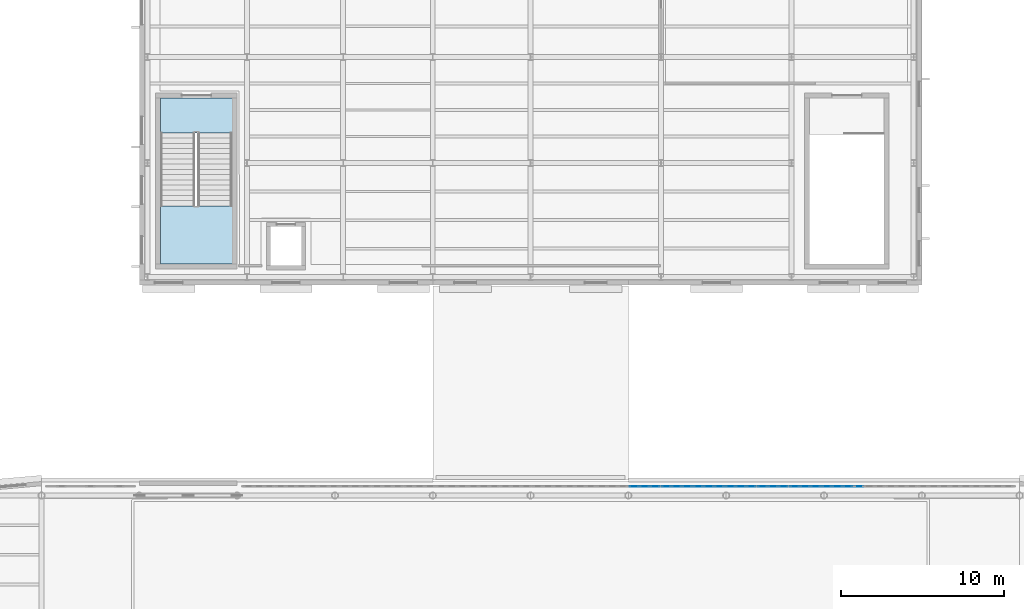
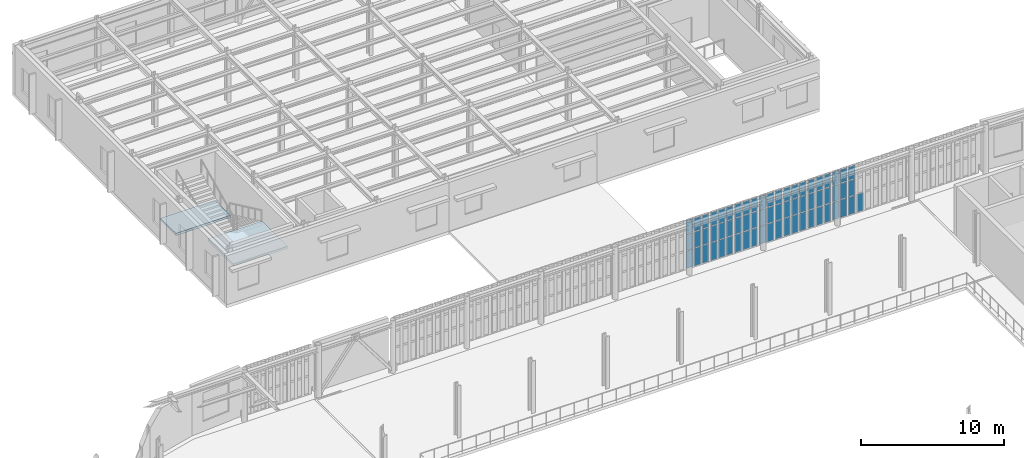
# One storey, part 55 of 91: 64 plates, 2 slabs, 9 elements without a shape of their own.
"""IFC4 building model written with IfcOpenShell, lengths in metres."""

from ifc_helpers import new_model, si_unit, direction, frame, origin, origin_2d, place, context, subcontext, project, spatial, polyline, rectangle, outline, extrude, material, layer, layer_set, type_object, element, aggregate, save


model = new_model("IFC4")

# Units and contexts
model_context = context("Model", 3, precision=1e-05, world=origin(), true_north=direction((0.0, 1.0)))
body_context = subcontext(model_context, "Body", "Model", "MODEL_VIEW")
ifc_project = project(units=[si_unit("LENGTHUNIT", "METRE"), si_unit("AREAUNIT", "SQUARE_METRE"), si_unit("VOLUMEUNIT", "CUBIC_METRE"), si_unit("PLANEANGLEUNIT", "RADIAN"), si_unit("MASSUNIT", "GRAM", prefix="KILO")], contexts=[model_context])

# Site, building, storey
site_placement = place(None, origin())
site = spatial("IfcSite", under=ifc_project, at=site_placement, CompositionType="ELEMENT")
building_placement = place(site_placement, origin())
building = spatial("IfcBuilding", under=site, at=building_placement, Name="Kolvaren Corner Interchange", CompositionType="ELEMENT")
storey_placement = place(building_placement, frame((0.0, 0.0, 6.0)))
storey = spatial("IfcBuildingStorey", under=building, at=storey_placement, Name="L02", CompositionType="ELEMENT", Elevation=6.0)

# Curtain wall, plate
ifc_material_1 = material(Name="Unitised Aluminium and Solar-Control Glass Curtain Wall", Category="aluminium")
curtain_wall_type = type_object("IfcCurtainWallType", Name="CW-V1-NORTH", PredefinedType="NOTDEFINED", material=ifc_material_1)
curtain_wall_1_placement = place(storey_placement, origin())
curtain_wall_1 = element("IfcCurtainWall", 1, at=curtain_wall_1_placement, inside=storey, type_object=curtain_wall_type, Name="North Concourse Gallery Curtain Wall Bay 05", PredefinedType="NOTDEFINED")
ifc_material_2 = material(Name="Low-E Solar-Control Laminated Glass", Category="glass")
ifc_layer_1 = layer(ifc_material_2, 0.035888671875)
ifc_layer_set_1 = layer_set([ifc_layer_1], Name="Low-E Solar-Control Laminated Glass")
plate_type = type_object("IfcPlateType", Name="PLT-CW-GL32", PredefinedType="CURTAIN_PANEL", material=ifc_layer_set_1)
plate_1_placement = place(storey_placement, frame((110.141845703125, 71.659912109375, 0.06494140625), z_axis=(0.0, 0.0, 1.0), x_axis=(-1.0, 0.0, 0.0)))
plate_1 = element("IfcPlate", 2, at=plate_1_placement, type_object=plate_type, Name="CW-062 panel 3.1", PredefinedType="CURTAIN_PANEL", context=body_context, shape_type="SweptSolid", body=[
    extrude(rectangle(XDim=0.552001953125, YDim=0.035888671875, at=origin_2d()), origin(), (0.0, 0.0, 1.0), 1.50244140625),
])
aggregate(curtain_wall_1, [plate_1])

# Curtain wall, plates
curtain_wall_2_placement = place(storey_placement, origin())
curtain_wall_2 = element("IfcCurtainWall", 3, at=curtain_wall_2_placement, inside=storey, type_object=curtain_wall_type, Name="North Concourse Gallery Curtain Wall Bay 06", PredefinedType="NOTDEFINED")
plate_2_placement = place(storey_placement, frame((109.449951171875, 71.659912109375, 0.06494140625), z_axis=(0.0, 0.0, 1.0), x_axis=(-1.0, 0.0, 0.0)))
plate_2 = element("IfcPlate", 4, at=plate_2_placement, type_object=plate_type, Name="CW-063 panel 1.1", PredefinedType="CURTAIN_PANEL", context=body_context, shape_type="SweptSolid", body=[
    extrude(rectangle(XDim=0.552001953125, YDim=0.035888671875, at=origin_2d()), origin(), (0.0, 0.0, 1.0), 1.50244140625),
])
plate_3_placement = place(storey_placement, frame((109.449951171875, 71.659912109375, 1.632568359375), z_axis=(0.0, 0.0, 1.0), x_axis=(-1.0, 0.0, 0.0)))
plate_3 = element("IfcPlate", 5, at=plate_3_placement, type_object=plate_type, Name="CW-063 panel 1.2", PredefinedType="CURTAIN_PANEL", context=body_context, shape_type="SweptSolid", body=[
    extrude(rectangle(XDim=0.552001953125, YDim=0.035888671875, at=origin_2d()), origin(), (0.0, 0.0, 1.0), 1.3349609375),
])
plate_4_placement = place(storey_placement, frame((109.449951171875, 71.659912109375, 3.032470703125), z_axis=(0.0, 0.0, 1.0), x_axis=(-1.0, 0.0, 0.0)))
plate_4 = element("IfcPlate", 6, at=plate_4_placement, type_object=plate_type, Name="CW-063 panel 1.3", PredefinedType="CURTAIN_PANEL", context=body_context, shape_type="SweptSolid", body=[
    extrude(rectangle(XDim=0.552001953125, YDim=0.035888671875, at=origin_2d()), origin(), (0.0, 0.0, 1.0), 1.12255859375),
])
plate_5_placement = place(storey_placement, frame((108.810302734375, 71.659912109375, 0.06494140625), z_axis=(0.0, 0.0, 1.0), x_axis=(-1.0, 0.0, 0.0)))
plate_5 = element("IfcPlate", 7, at=plate_5_placement, type_object=plate_type, Name="CW-063 panel 2.1", PredefinedType="CURTAIN_PANEL", context=body_context, shape_type="SweptSolid", body=[
    extrude(rectangle(XDim=0.5869140625, YDim=0.035888671875, at=origin_2d()), origin(), (0.0, 0.0, 1.0), 1.50244140625),
])
plate_6_placement = place(storey_placement, frame((108.810302734375, 71.659912109375, 1.632568359375), z_axis=(0.0, 0.0, 1.0), x_axis=(-1.0, 0.0, 0.0)))
plate_6 = element("IfcPlate", 8, at=plate_6_placement, type_object=plate_type, Name="CW-063 panel 2.2", PredefinedType="CURTAIN_PANEL", context=body_context, shape_type="SweptSolid", body=[
    extrude(rectangle(XDim=0.5869140625, YDim=0.035888671875, at=origin_2d()), origin(), (0.0, 0.0, 1.0), 1.3349609375),
])
plate_7_placement = place(storey_placement, frame((108.810302734375, 71.659912109375, 3.032470703125), z_axis=(0.0, 0.0, 1.0), x_axis=(-1.0, 0.0, 0.0)))
plate_7 = element("IfcPlate", 9, at=plate_7_placement, type_object=plate_type, Name="CW-063 panel 2.3", PredefinedType="CURTAIN_PANEL", context=body_context, shape_type="SweptSolid", body=[
    extrude(rectangle(XDim=0.5869140625, YDim=0.035888671875, at=origin_2d()), origin(), (0.0, 0.0, 1.0), 1.12255859375),
])
plate_8_placement = place(storey_placement, frame((108.1708984375, 71.659912109375, 0.06494140625), z_axis=(0.0, 0.0, 1.0), x_axis=(-1.0, 0.0, 0.0)))
plate_8 = element("IfcPlate", 10, at=plate_8_placement, type_object=plate_type, Name="CW-063 panel 3.1", PredefinedType="CURTAIN_PANEL", context=body_context, shape_type="SweptSolid", body=[
    extrude(rectangle(XDim=0.552001953125, YDim=0.035888671875, at=origin_2d()), origin(), (0.0, 0.0, 1.0), 1.50244140625),
])
plate_9_placement = place(storey_placement, frame((108.1708984375, 71.659912109375, 1.632568359375), z_axis=(0.0, 0.0, 1.0), x_axis=(-1.0, 0.0, 0.0)))
plate_9 = element("IfcPlate", 11, at=plate_9_placement, type_object=plate_type, Name="CW-063 panel 3.2", PredefinedType="CURTAIN_PANEL", context=body_context, shape_type="SweptSolid", body=[
    extrude(rectangle(XDim=0.552001953125, YDim=0.035888671875, at=origin_2d()), origin(), (0.0, 0.0, 1.0), 1.3349609375),
])
plate_10_placement = place(storey_placement, frame((108.1708984375, 71.659912109375, 3.032470703125), z_axis=(0.0, 0.0, 1.0), x_axis=(-1.0, 0.0, 0.0)))
plate_10 = element("IfcPlate", 12, at=plate_10_placement, type_object=plate_type, Name="CW-063 panel 3.3", PredefinedType="CURTAIN_PANEL", context=body_context, shape_type="SweptSolid", body=[
    extrude(rectangle(XDim=0.552001953125, YDim=0.035888671875, at=origin_2d()), origin(), (0.0, 0.0, 1.0), 1.12255859375),
])
aggregate(curtain_wall_2, [plate_2, plate_3, plate_4, plate_5, plate_6, plate_7, plate_8, plate_9, plate_10])

curtain_wall_3_placement = place(storey_placement, origin())
curtain_wall_3 = element("IfcCurtainWall", 13, at=curtain_wall_3_placement, inside=storey, type_object=curtain_wall_type, Name="North Concourse Gallery Curtain Wall Bay 07", PredefinedType="NOTDEFINED")
plate_11_placement = place(storey_placement, frame((107.47900390625, 71.659912109375, 0.06494140625), z_axis=(0.0, 0.0, 1.0), x_axis=(-1.0, 0.0, 0.0)))
plate_11 = element("IfcPlate", 14, at=plate_11_placement, type_object=plate_type, Name="CW-064 panel 1.1", PredefinedType="CURTAIN_PANEL", context=body_context, shape_type="SweptSolid", body=[
    extrude(rectangle(XDim=0.552001953125, YDim=0.035888671875, at=origin_2d()), origin(), (0.0, 0.0, 1.0), 1.50244140625),
])
plate_12_placement = place(storey_placement, frame((107.47900390625, 71.659912109375, 1.632568359375), z_axis=(0.0, 0.0, 1.0), x_axis=(-1.0, 0.0, 0.0)))
plate_12 = element("IfcPlate", 15, at=plate_12_placement, type_object=plate_type, Name="CW-064 panel 1.2", PredefinedType="CURTAIN_PANEL", context=body_context, shape_type="SweptSolid", body=[
    extrude(rectangle(XDim=0.552001953125, YDim=0.035888671875, at=origin_2d()), origin(), (0.0, 0.0, 1.0), 1.3349609375),
])
plate_13_placement = place(storey_placement, frame((107.47900390625, 71.659912109375, 3.032470703125), z_axis=(0.0, 0.0, 1.0), x_axis=(-1.0, 0.0, 0.0)))
plate_13 = element("IfcPlate", 16, at=plate_13_placement, type_object=plate_type, Name="CW-064 panel 1.3", PredefinedType="CURTAIN_PANEL", context=body_context, shape_type="SweptSolid", body=[
    extrude(rectangle(XDim=0.552001953125, YDim=0.035888671875, at=origin_2d()), origin(), (0.0, 0.0, 1.0), 1.12255859375),
])
plate_14_placement = place(storey_placement, frame((106.839599609375, 71.659912109375, 0.06494140625), z_axis=(0.0, 0.0, 1.0), x_axis=(-1.0, 0.0, 0.0)))
plate_14 = element("IfcPlate", 17, at=plate_14_placement, type_object=plate_type, Name="CW-064 panel 2.1", PredefinedType="CURTAIN_PANEL", context=body_context, shape_type="SweptSolid", body=[
    extrude(rectangle(XDim=0.5869140625, YDim=0.035888671875, at=origin_2d()), origin(), (0.0, 0.0, 1.0), 1.50244140625),
])
plate_15_placement = place(storey_placement, frame((106.839599609375, 71.659912109375, 1.632568359375), z_axis=(0.0, 0.0, 1.0), x_axis=(-1.0, 0.0, 0.0)))
plate_15 = element("IfcPlate", 18, at=plate_15_placement, type_object=plate_type, Name="CW-064 panel 2.2", PredefinedType="CURTAIN_PANEL", context=body_context, shape_type="SweptSolid", body=[
    extrude(rectangle(XDim=0.5869140625, YDim=0.035888671875, at=origin_2d()), origin(), (0.0, 0.0, 1.0), 1.3349609375),
])
plate_16_placement = place(storey_placement, frame((106.839599609375, 71.659912109375, 3.032470703125), z_axis=(0.0, 0.0, 1.0), x_axis=(-1.0, 0.0, 0.0)))
plate_16 = element("IfcPlate", 19, at=plate_16_placement, type_object=plate_type, Name="CW-064 panel 2.3", PredefinedType="CURTAIN_PANEL", context=body_context, shape_type="SweptSolid", body=[
    extrude(rectangle(XDim=0.5869140625, YDim=0.035888671875, at=origin_2d()), origin(), (0.0, 0.0, 1.0), 1.12255859375),
])
plate_17_placement = place(storey_placement, frame((106.2001953125, 71.659912109375, 0.06494140625), z_axis=(0.0, 0.0, 1.0), x_axis=(-1.0, 0.0, 0.0)))
plate_17 = element("IfcPlate", 20, at=plate_17_placement, type_object=plate_type, Name="CW-064 panel 3.1", PredefinedType="CURTAIN_PANEL", context=body_context, shape_type="SweptSolid", body=[
    extrude(rectangle(XDim=0.552001953125, YDim=0.035888671875, at=origin_2d()), origin(), (0.0, 0.0, 1.0), 1.50244140625),
])
plate_18_placement = place(storey_placement, frame((106.2001953125, 71.659912109375, 1.632568359375), z_axis=(0.0, 0.0, 1.0), x_axis=(-1.0, 0.0, 0.0)))
plate_18 = element("IfcPlate", 21, at=plate_18_placement, type_object=plate_type, Name="CW-064 panel 3.2", PredefinedType="CURTAIN_PANEL", context=body_context, shape_type="SweptSolid", body=[
    extrude(rectangle(XDim=0.552001953125, YDim=0.035888671875, at=origin_2d()), origin(), (0.0, 0.0, 1.0), 1.3349609375),
])
plate_19_placement = place(storey_placement, frame((106.2001953125, 71.659912109375, 3.032470703125), z_axis=(0.0, 0.0, 1.0), x_axis=(-1.0, 0.0, 0.0)))
plate_19 = element("IfcPlate", 22, at=plate_19_placement, type_object=plate_type, Name="CW-064 panel 3.3", PredefinedType="CURTAIN_PANEL", context=body_context, shape_type="SweptSolid", body=[
    extrude(rectangle(XDim=0.552001953125, YDim=0.035888671875, at=origin_2d()), origin(), (0.0, 0.0, 1.0), 1.12255859375),
])
aggregate(curtain_wall_3, [plate_11, plate_12, plate_13, plate_14, plate_15, plate_16, plate_17, plate_18, plate_19])

curtain_wall_4_placement = place(storey_placement, origin())
curtain_wall_4 = element("IfcCurtainWall", 23, at=curtain_wall_4_placement, inside=storey, type_object=curtain_wall_type, Name="North Concourse Gallery Curtain Wall Bay 08", PredefinedType="NOTDEFINED")
plate_20_placement = place(storey_placement, frame((105.50830078125, 71.659912109375, 0.06494140625), z_axis=(0.0, 0.0, 1.0), x_axis=(-1.0, 0.0, 0.0)))
plate_20 = element("IfcPlate", 24, at=plate_20_placement, type_object=plate_type, Name="CW-065 panel 1.1", PredefinedType="CURTAIN_PANEL", context=body_context, shape_type="SweptSolid", body=[
    extrude(rectangle(XDim=0.552001953125, YDim=0.035888671875, at=origin_2d()), origin(), (0.0, 0.0, 1.0), 1.50244140625),
])
plate_21_placement = place(storey_placement, frame((105.50830078125, 71.659912109375, 1.632568359375), z_axis=(0.0, 0.0, 1.0), x_axis=(-1.0, 0.0, 0.0)))
plate_21 = element("IfcPlate", 25, at=plate_21_placement, type_object=plate_type, Name="CW-065 panel 1.2", PredefinedType="CURTAIN_PANEL", context=body_context, shape_type="SweptSolid", body=[
    extrude(rectangle(XDim=0.552001953125, YDim=0.035888671875, at=origin_2d()), origin(), (0.0, 0.0, 1.0), 1.3349609375),
])
plate_22_placement = place(storey_placement, frame((105.50830078125, 71.659912109375, 3.032470703125), z_axis=(0.0, 0.0, 1.0), x_axis=(-1.0, 0.0, 0.0)))
plate_22 = element("IfcPlate", 26, at=plate_22_placement, type_object=plate_type, Name="CW-065 panel 1.3", PredefinedType="CURTAIN_PANEL", context=body_context, shape_type="SweptSolid", body=[
    extrude(rectangle(XDim=0.552001953125, YDim=0.035888671875, at=origin_2d()), origin(), (0.0, 0.0, 1.0), 1.12255859375),
])
plate_23_placement = place(storey_placement, frame((104.86865234375, 71.659912109375, 0.06494140625), z_axis=(0.0, 0.0, 1.0), x_axis=(-1.0, 0.0, 0.0)))
plate_23 = element("IfcPlate", 27, at=plate_23_placement, type_object=plate_type, Name="CW-065 panel 2.1", PredefinedType="CURTAIN_PANEL", context=body_context, shape_type="SweptSolid", body=[
    extrude(rectangle(XDim=0.5869140625, YDim=0.035888671875, at=origin_2d()), origin(), (0.0, 0.0, 1.0), 1.50244140625),
])
plate_24_placement = place(storey_placement, frame((104.86865234375, 71.659912109375, 1.632568359375), z_axis=(0.0, 0.0, 1.0), x_axis=(-1.0, 0.0, 0.0)))
plate_24 = element("IfcPlate", 28, at=plate_24_placement, type_object=plate_type, Name="CW-065 panel 2.2", PredefinedType="CURTAIN_PANEL", context=body_context, shape_type="SweptSolid", body=[
    extrude(rectangle(XDim=0.5869140625, YDim=0.035888671875, at=origin_2d()), origin(), (0.0, 0.0, 1.0), 1.3349609375),
])
plate_25_placement = place(storey_placement, frame((104.86865234375, 71.659912109375, 3.032470703125), z_axis=(0.0, 0.0, 1.0), x_axis=(-1.0, 0.0, 0.0)))
plate_25 = element("IfcPlate", 29, at=plate_25_placement, type_object=plate_type, Name="CW-065 panel 2.3", PredefinedType="CURTAIN_PANEL", context=body_context, shape_type="SweptSolid", body=[
    extrude(rectangle(XDim=0.5869140625, YDim=0.035888671875, at=origin_2d()), origin(), (0.0, 0.0, 1.0), 1.12255859375),
])
plate_26_placement = place(storey_placement, frame((104.229248046875, 71.659912109375, 0.06494140625), z_axis=(0.0, 0.0, 1.0), x_axis=(-1.0, 0.0, 0.0)))
plate_26 = element("IfcPlate", 30, at=plate_26_placement, type_object=plate_type, Name="CW-065 panel 3.1", PredefinedType="CURTAIN_PANEL", context=body_context, shape_type="SweptSolid", body=[
    extrude(rectangle(XDim=0.552001953125, YDim=0.035888671875, at=origin_2d()), origin(), (0.0, 0.0, 1.0), 1.50244140625),
])
plate_27_placement = place(storey_placement, frame((104.229248046875, 71.659912109375, 1.632568359375), z_axis=(0.0, 0.0, 1.0), x_axis=(-1.0, 0.0, 0.0)))
plate_27 = element("IfcPlate", 31, at=plate_27_placement, type_object=plate_type, Name="CW-065 panel 3.2", PredefinedType="CURTAIN_PANEL", context=body_context, shape_type="SweptSolid", body=[
    extrude(rectangle(XDim=0.552001953125, YDim=0.035888671875, at=origin_2d()), origin(), (0.0, 0.0, 1.0), 1.3349609375),
])
plate_28_placement = place(storey_placement, frame((104.229248046875, 71.659912109375, 3.032470703125), z_axis=(0.0, 0.0, 1.0), x_axis=(-1.0, 0.0, 0.0)))
plate_28 = element("IfcPlate", 32, at=plate_28_placement, type_object=plate_type, Name="CW-065 panel 3.3", PredefinedType="CURTAIN_PANEL", context=body_context, shape_type="SweptSolid", body=[
    extrude(rectangle(XDim=0.552001953125, YDim=0.035888671875, at=origin_2d()), origin(), (0.0, 0.0, 1.0), 1.12255859375),
])
aggregate(curtain_wall_4, [plate_20, plate_21, plate_22, plate_23, plate_24, plate_25, plate_26, plate_27, plate_28])

curtain_wall_5_placement = place(storey_placement, origin())
curtain_wall_5 = element("IfcCurtainWall", 33, at=curtain_wall_5_placement, inside=storey, type_object=curtain_wall_type, Name="North Concourse Gallery Curtain Wall Bay 09", PredefinedType="NOTDEFINED")
plate_29_placement = place(storey_placement, frame((103.537353515625, 71.659912109375, 0.06494140625), z_axis=(0.0, 0.0, 1.0), x_axis=(-1.0, 0.0, 0.0)))
plate_29 = element("IfcPlate", 34, at=plate_29_placement, type_object=plate_type, Name="CW-066 panel 1.1", PredefinedType="CURTAIN_PANEL", context=body_context, shape_type="SweptSolid", body=[
    extrude(rectangle(XDim=0.552001953125, YDim=0.035888671875, at=origin_2d()), origin(), (0.0, 0.0, 1.0), 1.50244140625),
])
plate_30_placement = place(storey_placement, frame((103.537353515625, 71.659912109375, 1.632568359375), z_axis=(0.0, 0.0, 1.0), x_axis=(-1.0, 0.0, 0.0)))
plate_30 = element("IfcPlate", 35, at=plate_30_placement, type_object=plate_type, Name="CW-066 panel 1.2", PredefinedType="CURTAIN_PANEL", context=body_context, shape_type="SweptSolid", body=[
    extrude(rectangle(XDim=0.552001953125, YDim=0.035888671875, at=origin_2d()), origin(), (0.0, 0.0, 1.0), 1.3349609375),
])
plate_31_placement = place(storey_placement, frame((103.537353515625, 71.659912109375, 3.032470703125), z_axis=(0.0, 0.0, 1.0), x_axis=(-1.0, 0.0, 0.0)))
plate_31 = element("IfcPlate", 36, at=plate_31_placement, type_object=plate_type, Name="CW-066 panel 1.3", PredefinedType="CURTAIN_PANEL", context=body_context, shape_type="SweptSolid", body=[
    extrude(rectangle(XDim=0.552001953125, YDim=0.035888671875, at=origin_2d()), origin(), (0.0, 0.0, 1.0), 1.12255859375),
])
plate_32_placement = place(storey_placement, frame((102.89794921875, 71.659912109375, 0.06494140625), z_axis=(0.0, 0.0, 1.0), x_axis=(-1.0, 0.0, 0.0)))
plate_32 = element("IfcPlate", 37, at=plate_32_placement, type_object=plate_type, Name="CW-066 panel 2.1", PredefinedType="CURTAIN_PANEL", context=body_context, shape_type="SweptSolid", body=[
    extrude(rectangle(XDim=0.5869140625, YDim=0.035888671875, at=origin_2d()), origin(), (0.0, 0.0, 1.0), 1.50244140625),
])
plate_33_placement = place(storey_placement, frame((102.89794921875, 71.659912109375, 1.632568359375), z_axis=(0.0, 0.0, 1.0), x_axis=(-1.0, 0.0, 0.0)))
plate_33 = element("IfcPlate", 38, at=plate_33_placement, type_object=plate_type, Name="CW-066 panel 2.2", PredefinedType="CURTAIN_PANEL", context=body_context, shape_type="SweptSolid", body=[
    extrude(rectangle(XDim=0.5869140625, YDim=0.035888671875, at=origin_2d()), origin(), (0.0, 0.0, 1.0), 1.3349609375),
])
plate_34_placement = place(storey_placement, frame((102.89794921875, 71.659912109375, 3.032470703125), z_axis=(0.0, 0.0, 1.0), x_axis=(-1.0, 0.0, 0.0)))
plate_34 = element("IfcPlate", 39, at=plate_34_placement, type_object=plate_type, Name="CW-066 panel 2.3", PredefinedType="CURTAIN_PANEL", context=body_context, shape_type="SweptSolid", body=[
    extrude(rectangle(XDim=0.5869140625, YDim=0.035888671875, at=origin_2d()), origin(), (0.0, 0.0, 1.0), 1.12255859375),
])
plate_35_placement = place(storey_placement, frame((102.258544921875, 71.659912109375, 0.06494140625), z_axis=(0.0, 0.0, 1.0), x_axis=(-1.0, 0.0, 0.0)))
plate_35 = element("IfcPlate", 40, at=plate_35_placement, type_object=plate_type, Name="CW-066 panel 3.1", PredefinedType="CURTAIN_PANEL", context=body_context, shape_type="SweptSolid", body=[
    extrude(rectangle(XDim=0.552001953125, YDim=0.035888671875, at=origin_2d()), origin(), (0.0, 0.0, 1.0), 1.50244140625),
])
plate_36_placement = place(storey_placement, frame((102.258544921875, 71.659912109375, 1.632568359375), z_axis=(0.0, 0.0, 1.0), x_axis=(-1.0, 0.0, 0.0)))
plate_36 = element("IfcPlate", 41, at=plate_36_placement, type_object=plate_type, Name="CW-066 panel 3.2", PredefinedType="CURTAIN_PANEL", context=body_context, shape_type="SweptSolid", body=[
    extrude(rectangle(XDim=0.552001953125, YDim=0.035888671875, at=origin_2d()), origin(), (0.0, 0.0, 1.0), 1.3349609375),
])
plate_37_placement = place(storey_placement, frame((102.258544921875, 71.659912109375, 3.032470703125), z_axis=(0.0, 0.0, 1.0), x_axis=(-1.0, 0.0, 0.0)))
plate_37 = element("IfcPlate", 42, at=plate_37_placement, type_object=plate_type, Name="CW-066 panel 3.3", PredefinedType="CURTAIN_PANEL", context=body_context, shape_type="SweptSolid", body=[
    extrude(rectangle(XDim=0.552001953125, YDim=0.035888671875, at=origin_2d()), origin(), (0.0, 0.0, 1.0), 1.12255859375),
])
aggregate(curtain_wall_5, [plate_29, plate_30, plate_31, plate_32, plate_33, plate_34, plate_35, plate_36, plate_37])

curtain_wall_6_placement = place(storey_placement, origin())
curtain_wall_6 = element("IfcCurtainWall", 43, at=curtain_wall_6_placement, inside=storey, type_object=curtain_wall_type, Name="North Concourse Gallery Curtain Wall Bay 10", PredefinedType="NOTDEFINED")
plate_38_placement = place(storey_placement, frame((101.566650390625, 71.659912109375, 0.06494140625), z_axis=(0.0, 0.0, 1.0), x_axis=(-1.0, 0.0, 0.0)))
plate_38 = element("IfcPlate", 44, at=plate_38_placement, type_object=plate_type, Name="CW-067 panel 1.1", PredefinedType="CURTAIN_PANEL", context=body_context, shape_type="SweptSolid", body=[
    extrude(rectangle(XDim=0.552001953125, YDim=0.035888671875, at=origin_2d()), origin(), (0.0, 0.0, 1.0), 1.50244140625),
])
plate_39_placement = place(storey_placement, frame((101.566650390625, 71.659912109375, 1.632568359375), z_axis=(0.0, 0.0, 1.0), x_axis=(-1.0, 0.0, 0.0)))
plate_39 = element("IfcPlate", 45, at=plate_39_placement, type_object=plate_type, Name="CW-067 panel 1.2", PredefinedType="CURTAIN_PANEL", context=body_context, shape_type="SweptSolid", body=[
    extrude(rectangle(XDim=0.552001953125, YDim=0.035888671875, at=origin_2d()), origin(), (0.0, 0.0, 1.0), 1.3349609375),
])
plate_40_placement = place(storey_placement, frame((101.566650390625, 71.659912109375, 3.032470703125), z_axis=(0.0, 0.0, 1.0), x_axis=(-1.0, 0.0, 0.0)))
plate_40 = element("IfcPlate", 46, at=plate_40_placement, type_object=plate_type, Name="CW-067 panel 1.3", PredefinedType="CURTAIN_PANEL", context=body_context, shape_type="SweptSolid", body=[
    extrude(rectangle(XDim=0.552001953125, YDim=0.035888671875, at=origin_2d()), origin(), (0.0, 0.0, 1.0), 1.12255859375),
])
plate_41_placement = place(storey_placement, frame((100.927001953125, 71.659912109375, 0.06494140625), z_axis=(0.0, 0.0, 1.0), x_axis=(-1.0, 0.0, 0.0)))
plate_41 = element("IfcPlate", 47, at=plate_41_placement, type_object=plate_type, Name="CW-067 panel 2.1", PredefinedType="CURTAIN_PANEL", context=body_context, shape_type="SweptSolid", body=[
    extrude(rectangle(XDim=0.5869140625, YDim=0.035888671875, at=origin_2d()), origin(), (0.0, 0.0, 1.0), 1.50244140625),
])
plate_42_placement = place(storey_placement, frame((100.927001953125, 71.659912109375, 1.632568359375), z_axis=(0.0, 0.0, 1.0), x_axis=(-1.0, 0.0, 0.0)))
plate_42 = element("IfcPlate", 48, at=plate_42_placement, type_object=plate_type, Name="CW-067 panel 2.2", PredefinedType="CURTAIN_PANEL", context=body_context, shape_type="SweptSolid", body=[
    extrude(rectangle(XDim=0.5869140625, YDim=0.035888671875, at=origin_2d()), origin(), (0.0, 0.0, 1.0), 1.3349609375),
])
plate_43_placement = place(storey_placement, frame((100.927001953125, 71.659912109375, 3.032470703125), z_axis=(0.0, 0.0, 1.0), x_axis=(-1.0, 0.0, 0.0)))
plate_43 = element("IfcPlate", 49, at=plate_43_placement, type_object=plate_type, Name="CW-067 panel 2.3", PredefinedType="CURTAIN_PANEL", context=body_context, shape_type="SweptSolid", body=[
    extrude(rectangle(XDim=0.5869140625, YDim=0.035888671875, at=origin_2d()), origin(), (0.0, 0.0, 1.0), 1.12255859375),
])
plate_44_placement = place(storey_placement, frame((100.28759765625, 71.659912109375, 0.06494140625), z_axis=(0.0, 0.0, 1.0), x_axis=(-1.0, 0.0, 0.0)))
plate_44 = element("IfcPlate", 50, at=plate_44_placement, type_object=plate_type, Name="CW-067 panel 3.1", PredefinedType="CURTAIN_PANEL", context=body_context, shape_type="SweptSolid", body=[
    extrude(rectangle(XDim=0.552001953125, YDim=0.035888671875, at=origin_2d()), origin(), (0.0, 0.0, 1.0), 1.50244140625),
])
plate_45_placement = place(storey_placement, frame((100.28759765625, 71.659912109375, 1.632568359375), z_axis=(0.0, 0.0, 1.0), x_axis=(-1.0, 0.0, 0.0)))
plate_45 = element("IfcPlate", 51, at=plate_45_placement, type_object=plate_type, Name="CW-067 panel 3.2", PredefinedType="CURTAIN_PANEL", context=body_context, shape_type="SweptSolid", body=[
    extrude(rectangle(XDim=0.552001953125, YDim=0.035888671875, at=origin_2d()), origin(), (0.0, 0.0, 1.0), 1.3349609375),
])
plate_46_placement = place(storey_placement, frame((100.28759765625, 71.659912109375, 3.032470703125), z_axis=(0.0, 0.0, 1.0), x_axis=(-1.0, 0.0, 0.0)))
plate_46 = element("IfcPlate", 52, at=plate_46_placement, type_object=plate_type, Name="CW-067 panel 3.3", PredefinedType="CURTAIN_PANEL", context=body_context, shape_type="SweptSolid", body=[
    extrude(rectangle(XDim=0.552001953125, YDim=0.035888671875, at=origin_2d()), origin(), (0.0, 0.0, 1.0), 1.12255859375),
])
aggregate(curtain_wall_6, [plate_38, plate_39, plate_40, plate_41, plate_42, plate_43, plate_44, plate_45, plate_46])

curtain_wall_7_placement = place(storey_placement, origin())
curtain_wall_7 = element("IfcCurtainWall", 53, at=curtain_wall_7_placement, inside=storey, type_object=curtain_wall_type, Name="North Concourse Gallery Curtain Wall Bay 11", PredefinedType="NOTDEFINED")
plate_47_placement = place(storey_placement, frame((99.595703125, 71.659912109375, 0.06494140625), z_axis=(0.0, 0.0, 1.0), x_axis=(-1.0, 0.0, 0.0)))
plate_47 = element("IfcPlate", 54, at=plate_47_placement, type_object=plate_type, Name="CW-068 panel 1.1", PredefinedType="CURTAIN_PANEL", context=body_context, shape_type="SweptSolid", body=[
    extrude(rectangle(XDim=0.552001953125, YDim=0.035888671875, at=origin_2d()), origin(), (0.0, 0.0, 1.0), 1.50244140625),
])
plate_48_placement = place(storey_placement, frame((99.595703125, 71.659912109375, 1.632568359375), z_axis=(0.0, 0.0, 1.0), x_axis=(-1.0, 0.0, 0.0)))
plate_48 = element("IfcPlate", 55, at=plate_48_placement, type_object=plate_type, Name="CW-068 panel 1.2", PredefinedType="CURTAIN_PANEL", context=body_context, shape_type="SweptSolid", body=[
    extrude(rectangle(XDim=0.552001953125, YDim=0.035888671875, at=origin_2d()), origin(), (0.0, 0.0, 1.0), 1.3349609375),
])
plate_49_placement = place(storey_placement, frame((99.595703125, 71.659912109375, 3.032470703125), z_axis=(0.0, 0.0, 1.0), x_axis=(-1.0, 0.0, 0.0)))
plate_49 = element("IfcPlate", 56, at=plate_49_placement, type_object=plate_type, Name="CW-068 panel 1.3", PredefinedType="CURTAIN_PANEL", context=body_context, shape_type="SweptSolid", body=[
    extrude(rectangle(XDim=0.552001953125, YDim=0.035888671875, at=origin_2d()), origin(), (0.0, 0.0, 1.0), 1.12255859375),
])
plate_50_placement = place(storey_placement, frame((98.956298828125, 71.659912109375, 0.06494140625), z_axis=(0.0, 0.0, 1.0), x_axis=(-1.0, 0.0, 0.0)))
plate_50 = element("IfcPlate", 57, at=plate_50_placement, type_object=plate_type, Name="CW-068 panel 2.1", PredefinedType="CURTAIN_PANEL", context=body_context, shape_type="SweptSolid", body=[
    extrude(rectangle(XDim=0.5869140625, YDim=0.035888671875, at=origin_2d()), origin(), (0.0, 0.0, 1.0), 1.50244140625),
])
plate_51_placement = place(storey_placement, frame((98.956298828125, 71.659912109375, 1.632568359375), z_axis=(0.0, 0.0, 1.0), x_axis=(-1.0, 0.0, 0.0)))
plate_51 = element("IfcPlate", 58, at=plate_51_placement, type_object=plate_type, Name="CW-068 panel 2.2", PredefinedType="CURTAIN_PANEL", context=body_context, shape_type="SweptSolid", body=[
    extrude(rectangle(XDim=0.5869140625, YDim=0.035888671875, at=origin_2d()), origin(), (0.0, 0.0, 1.0), 1.3349609375),
])
plate_52_placement = place(storey_placement, frame((98.956298828125, 71.659912109375, 3.032470703125), z_axis=(0.0, 0.0, 1.0), x_axis=(-1.0, 0.0, 0.0)))
plate_52 = element("IfcPlate", 59, at=plate_52_placement, type_object=plate_type, Name="CW-068 panel 2.3", PredefinedType="CURTAIN_PANEL", context=body_context, shape_type="SweptSolid", body=[
    extrude(rectangle(XDim=0.5869140625, YDim=0.035888671875, at=origin_2d()), origin(), (0.0, 0.0, 1.0), 1.12255859375),
])
plate_53_placement = place(storey_placement, frame((98.31689453125, 71.659912109375, 0.06494140625), z_axis=(0.0, 0.0, 1.0), x_axis=(-1.0, 0.0, 0.0)))
plate_53 = element("IfcPlate", 60, at=plate_53_placement, type_object=plate_type, Name="CW-068 panel 3.1", PredefinedType="CURTAIN_PANEL", context=body_context, shape_type="SweptSolid", body=[
    extrude(rectangle(XDim=0.552001953125, YDim=0.035888671875, at=origin_2d()), origin(), (0.0, 0.0, 1.0), 1.50244140625),
])
plate_54_placement = place(storey_placement, frame((98.31689453125, 71.659912109375, 1.632568359375), z_axis=(0.0, 0.0, 1.0), x_axis=(-1.0, 0.0, 0.0)))
plate_54 = element("IfcPlate", 61, at=plate_54_placement, type_object=plate_type, Name="CW-068 panel 3.2", PredefinedType="CURTAIN_PANEL", context=body_context, shape_type="SweptSolid", body=[
    extrude(rectangle(XDim=0.552001953125, YDim=0.035888671875, at=origin_2d()), origin(), (0.0, 0.0, 1.0), 1.3349609375),
])
plate_55_placement = place(storey_placement, frame((98.31689453125, 71.659912109375, 3.032470703125), z_axis=(0.0, 0.0, 1.0), x_axis=(-1.0, 0.0, 0.0)))
plate_55 = element("IfcPlate", 62, at=plate_55_placement, type_object=plate_type, Name="CW-068 panel 3.3", PredefinedType="CURTAIN_PANEL", context=body_context, shape_type="SweptSolid", body=[
    extrude(rectangle(XDim=0.552001953125, YDim=0.035888671875, at=origin_2d()), origin(), (0.0, 0.0, 1.0), 1.12255859375),
])
aggregate(curtain_wall_7, [plate_47, plate_48, plate_49, plate_50, plate_51, plate_52, plate_53, plate_54, plate_55])

curtain_wall_8_placement = place(storey_placement, origin())
curtain_wall_8 = element("IfcCurtainWall", 63, at=curtain_wall_8_placement, inside=storey, type_object=curtain_wall_type, Name="North Concourse Gallery Curtain Wall Bay 12", PredefinedType="NOTDEFINED")
plate_56_placement = place(storey_placement, frame((97.624755859375, 71.659912109375, 0.06494140625), z_axis=(0.0, 0.0, 1.0), x_axis=(-1.0, 0.0, 0.0)))
plate_56 = element("IfcPlate", 64, at=plate_56_placement, type_object=plate_type, Name="CW-069 panel 1.1", PredefinedType="CURTAIN_PANEL", context=body_context, shape_type="SweptSolid", body=[
    extrude(rectangle(XDim=0.552001953125, YDim=0.035888671875, at=origin_2d()), origin(), (0.0, 0.0, 1.0), 1.50244140625),
])
plate_57_placement = place(storey_placement, frame((97.624755859375, 71.659912109375, 1.632568359375), z_axis=(0.0, 0.0, 1.0), x_axis=(-1.0, 0.0, 0.0)))
plate_57 = element("IfcPlate", 65, at=plate_57_placement, type_object=plate_type, Name="CW-069 panel 1.2", PredefinedType="CURTAIN_PANEL", context=body_context, shape_type="SweptSolid", body=[
    extrude(rectangle(XDim=0.552001953125, YDim=0.035888671875, at=origin_2d()), origin(), (0.0, 0.0, 1.0), 1.3349609375),
])
plate_58_placement = place(storey_placement, frame((97.624755859375, 71.659912109375, 3.032470703125), z_axis=(0.0, 0.0, 1.0), x_axis=(-1.0, 0.0, 0.0)))
plate_58 = element("IfcPlate", 66, at=plate_58_placement, type_object=plate_type, Name="CW-069 panel 1.3", PredefinedType="CURTAIN_PANEL", context=body_context, shape_type="SweptSolid", body=[
    extrude(rectangle(XDim=0.552001953125, YDim=0.035888671875, at=origin_2d()), origin(), (0.0, 0.0, 1.0), 1.12255859375),
])
plate_59_placement = place(storey_placement, frame((96.9853515625, 71.659912109375, 0.06494140625), z_axis=(0.0, 0.0, 1.0), x_axis=(-1.0, 0.0, 0.0)))
plate_59 = element("IfcPlate", 67, at=plate_59_placement, type_object=plate_type, Name="CW-069 panel 2.1", PredefinedType="CURTAIN_PANEL", context=body_context, shape_type="SweptSolid", body=[
    extrude(rectangle(XDim=0.5869140625, YDim=0.035888671875, at=origin_2d()), origin(), (0.0, 0.0, 1.0), 1.50244140625),
])
plate_60_placement = place(storey_placement, frame((96.9853515625, 71.659912109375, 1.632568359375), z_axis=(0.0, 0.0, 1.0), x_axis=(-1.0, 0.0, 0.0)))
plate_60 = element("IfcPlate", 68, at=plate_60_placement, type_object=plate_type, Name="CW-069 panel 2.2", PredefinedType="CURTAIN_PANEL", context=body_context, shape_type="SweptSolid", body=[
    extrude(rectangle(XDim=0.5869140625, YDim=0.035888671875, at=origin_2d()), origin(), (0.0, 0.0, 1.0), 1.3349609375),
])
plate_61_placement = place(storey_placement, frame((96.9853515625, 71.659912109375, 3.032470703125), z_axis=(0.0, 0.0, 1.0), x_axis=(-1.0, 0.0, 0.0)))
plate_61 = element("IfcPlate", 69, at=plate_61_placement, type_object=plate_type, Name="CW-069 panel 2.3", PredefinedType="CURTAIN_PANEL", context=body_context, shape_type="SweptSolid", body=[
    extrude(rectangle(XDim=0.5869140625, YDim=0.035888671875, at=origin_2d()), origin(), (0.0, 0.0, 1.0), 1.12255859375),
])
plate_62_placement = place(storey_placement, frame((96.345947265625, 71.659912109375, 0.06494140625), z_axis=(0.0, 0.0, 1.0), x_axis=(-1.0, 0.0, 0.0)))
plate_62 = element("IfcPlate", 70, at=plate_62_placement, type_object=plate_type, Name="CW-069 panel 3.1", PredefinedType="CURTAIN_PANEL", context=body_context, shape_type="SweptSolid", body=[
    extrude(rectangle(XDim=0.552001953125, YDim=0.035888671875, at=origin_2d()), origin(), (0.0, 0.0, 1.0), 1.50244140625),
])
plate_63_placement = place(storey_placement, frame((96.345947265625, 71.659912109375, 1.632568359375), z_axis=(0.0, 0.0, 1.0), x_axis=(-1.0, 0.0, 0.0)))
plate_63 = element("IfcPlate", 71, at=plate_63_placement, type_object=plate_type, Name="CW-069 panel 3.2", PredefinedType="CURTAIN_PANEL", context=body_context, shape_type="SweptSolid", body=[
    extrude(rectangle(XDim=0.552001953125, YDim=0.035888671875, at=origin_2d()), origin(), (0.0, 0.0, 1.0), 1.3349609375),
])
plate_64_placement = place(storey_placement, frame((96.345947265625, 71.659912109375, 3.032470703125), z_axis=(0.0, 0.0, 1.0), x_axis=(-1.0, 0.0, 0.0)))
plate_64 = element("IfcPlate", 72, at=plate_64_placement, type_object=plate_type, Name="CW-069 panel 3.3", PredefinedType="CURTAIN_PANEL", context=body_context, shape_type="SweptSolid", body=[
    extrude(rectangle(XDim=0.552001953125, YDim=0.035888671875, at=origin_2d()), origin(), (0.0, 0.0, 1.0), 1.12255859375),
])
aggregate(curtain_wall_8, [plate_56, plate_57, plate_58, plate_59, plate_60, plate_61, plate_62, plate_63, plate_64])

# Slab
ifc_material_3 = material(Name="Concrete C35/45", Category="concrete")
ifc_layer_2 = layer(ifc_material_3, 0.199951171875)
ifc_layer_set_2 = layer_set([ifc_layer_2], Name="Concrete C35/45")
slab_type = type_object("IfcSlabType", Name="SL-STAIR-LAND200", PredefinedType="LANDING", material=ifc_layer_set_2)
slab_1_placement = place(storey_placement, frame((0.0, 0.0, -0.199951171875)))
element("IfcSlab", 73, at=slab_1_placement, inside=storey, type_object=slab_type, Name="Cycle Hub West Pavilion Exit Stair L02 Floor Arrival Landing Slab", PredefinedType="LANDING", context=body_context, shape_type="SweptSolid", body=[
    extrude(outline(polyline([(67.300048828125, 95.5), (67.300048828125, 93.35009765625), (71.699951171875, 93.35009765625), (71.699951171875, 95.5), (67.300048828125, 95.5)])), origin(), (0.0, 0.0, 1.0), 0.199951171875),
])

# Stair, slab
ifc_material_4 = material(Name="Concrete C35/45", Category="concrete")
stair_type = type_object("IfcStairType", Name="ST-PL-2100", PredefinedType="HALF_TURN_STAIR", material=ifc_material_4)
stair_placement = place(storey_placement, origin())
stair = element("IfcStair", 74, at=stair_placement, inside=storey, type_object=stair_type, Name="Cycle Hub West Pavilion Exit Stair L02 to L03 Stair", PredefinedType="HALF_TURN_STAIR")
slab_2_placement = place(storey_placement, frame((0.0, 0.0, 2.050048828125)))
slab_2 = element("IfcSlab", 75, at=slab_2_placement, type_object=slab_type, Name="Cycle Hub West Pavilion Exit Stair L02 Intermediate Half Landing Slab", PredefinedType="LANDING", context=body_context, shape_type="SweptSolid", body=[
    extrude(outline(polyline([(67.300048828125, 88.8701171875), (67.300048828125, 85.300048828125), (71.699951171875, 85.300048828125), (71.699951171875, 88.8701171875), (67.300048828125, 88.8701171875)])), origin(), (0.0, 0.0, 1.0), 0.199951171875),
])
aggregate(stair, [slab_2])

save(model, "model.ifc")
